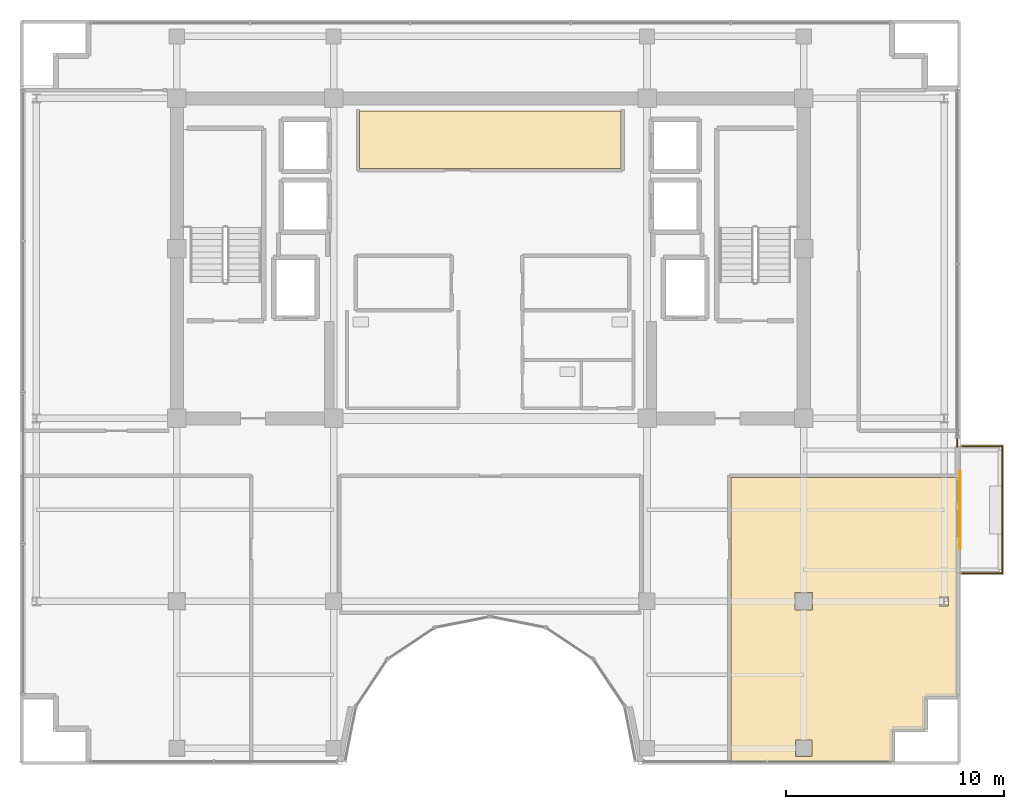
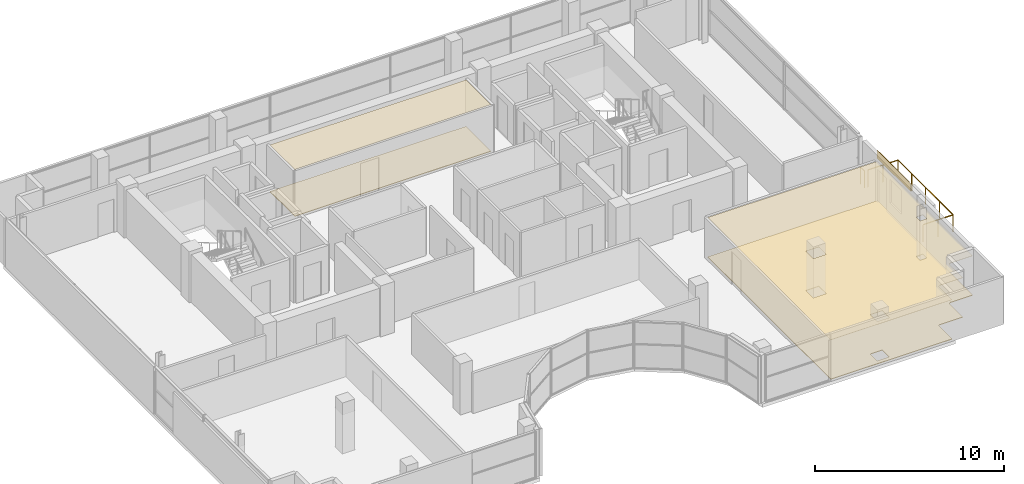
# One storey, part 27 of 29: 5 coverings, 2 railings, 1 shading device.
"""IFC4 building model written with IfcOpenShell, lengths in metres."""

import ifcopenshell
import ifcopenshell.guid

model = None  # the IFC model being written
_history = None  # IfcOwnerHistory: only IFC2X3 demands one
_inside = {}  # id of a spatial element -> (the spatial element, [elements in it])
_under = {}  # id of a project, library or spatial element -> (it, [spatial elements below it])
_declared = {}  # id of a project -> (the project, [libraries it declares])
_typed = {}  # id of a type object -> (the type object, [elements of that type])
_made_of = {}  # id of a material, layer set ... -> (it, [elements and type objects made of it])


def new_model(schema):
    """Start an empty IFC model of exactly this schema.

    Asked for "IFC4X3", IfcOpenShell would pick the latest addendum, in which some entities
    have other attributes; the version numbers below select the first issue.
    IFC2X3 requires an IfcOwnerHistory on every rooted entity: one is made here for all.
    """
    global model, _history
    if schema == "IFC4X3":
        model = ifcopenshell.file(schema_version=(4, 3, 0, 0))
    else:
        model = ifcopenshell.file(schema=schema)
    _inside.clear()
    _under.clear()
    _declared.clear()
    _typed.clear()
    _made_of.clear()
    _history = None
    if model.schema == "IFC2X3":
        org = make("IfcOrganization", Name="unknown")
        user = make(
            "IfcPersonAndOrganization",
            ThePerson=make("IfcPerson", FamilyName="unknown"),
            TheOrganization=org,
        )
        app = make(
            "IfcApplication",
            ApplicationDeveloper=org,
            Version="unknown",
            ApplicationFullName="unknown",
            ApplicationIdentifier="unknown",
        )
        _history = make(
            "IfcOwnerHistory",
            OwningUser=user,
            OwningApplication=app,
            ChangeAction="ADDED",
            CreationDate=0,
        )
    return model


def make(cls, **values):
    """One entity of the class cls with the attributes given. An attribute that is None is left unset."""
    return model.create_entity(
        cls, **{name: value for name, value in values.items() if value is not None}
    )


def rooted(cls, **values):
    """An entity with a GlobalId (a new one), such as an element, a storey or a relation."""
    return make(cls, GlobalId=ifcopenshell.guid.new(), OwnerHistory=_history, **values)


def si_unit(unit_type, name, prefix=None):
    """IfcSIUnit, for example si_unit("LENGTHUNIT", "METRE", prefix="MILLI")."""
    return make("IfcSIUnit", UnitType=unit_type, Prefix=prefix, Name=name)


def assignment(units):
    """IfcUnitAssignment: the units of a project."""
    return None if units is None else make("IfcUnitAssignment", Units=units)


def point(xyz):
    """IfcCartesianPoint."""
    return None if xyz is None else make("IfcCartesianPoint", Coordinates=xyz)


def direction(xyz):
    """IfcDirection."""
    return None if xyz is None else make("IfcDirection", DirectionRatios=xyz)


def frame(location, z_axis=None, x_axis=None):
    """IfcAxis2Placement3D, a coordinate frame: its origin and axes. An axis left out is left unset."""
    return make(
        "IfcAxis2Placement3D",
        Location=point(location),
        Axis=direction(z_axis),
        RefDirection=direction(x_axis),
    )


def frame_2d(location, x_axis=None):
    """IfcAxis2Placement2D, a coordinate frame in the plane: its origin and x axis."""
    return make(
        "IfcAxis2Placement2D", Location=point(location), RefDirection=direction(x_axis)
    )


def origin():
    """The frame at (0, 0, 0) with its axes left unset."""
    return frame((0.0, 0.0, 0.0))


def origin_2d():
    """The frame at (0, 0) in the plane with its x axis left unset."""
    return frame_2d((0.0, 0.0))


def place(relative_to, where):
    """IfcLocalPlacement: puts the frame where relative to a parent placement (None: the world)."""
    return make(
        "IfcLocalPlacement", PlacementRelTo=relative_to, RelativePlacement=where
    )


def context(
    kind, dimensions, precision=None, world=None, true_north=None, identifier=None
):
    """IfcGeometricRepresentationContext, for example the 3D "Model" context."""
    return make(
        "IfcGeometricRepresentationContext",
        ContextIdentifier=identifier,
        ContextType=kind,
        CoordinateSpaceDimension=dimensions,
        Precision=precision,
        WorldCoordinateSystem=world,
        TrueNorth=true_north,
    )


def subcontext(parent, identifier, kind, view, scale=None):
    """IfcGeometricRepresentationSubContext, for example "Body" below "Model"."""
    return make(
        "IfcGeometricRepresentationSubContext",
        ContextIdentifier=identifier,
        ContextType=kind,
        ParentContext=parent,
        TargetScale=scale,
        TargetView=view,
    )


def project(units=None, contexts=None):
    """IfcProject with its units and contexts."""
    return rooted(
        "IfcProject",
        Name="project",
        RepresentationContexts=contexts,
        UnitsInContext=assignment(units),
    )


def spatial(cls, under=None, at=None, **own):
    """A site, building, storey or space (cls), placed at a placement, below another one or the project."""
    s = rooted(cls, ObjectPlacement=at, **own)
    if under is not None:
        _under.setdefault(under.id(), (under, []))[1].append(s)
    return s


def polyline(points):
    """IfcPolyline through the points."""
    return make("IfcPolyline", Points=[point(p) for p in points])


def profile(cls, at=None, kind="AREA", **sizes):
    """A parametric profile (cls). Its sizes go by their IFC names, for example OverallWidth=200.0."""
    return make(cls, ProfileType=kind, Position=at, **sizes)


def rectangle(**sizes):
    """IfcRectangleProfileDef."""
    return profile("IfcRectangleProfileDef", **sizes)


def outline(outer, holes=None, kind="AREA"):
    """IfcArbitraryClosedProfileDef: a profile drawn as a closed curve; with holes, ...WithVoids."""
    if holes is None:
        return make("IfcArbitraryClosedProfileDef", ProfileType=kind, OuterCurve=outer)
    return make(
        "IfcArbitraryProfileDefWithVoids",
        ProfileType=kind,
        OuterCurve=outer,
        InnerCurves=holes,
    )


def extrude(swept, where, along, depth):
    """IfcExtrudedAreaSolid: the profile swept, set in the frame where, extruded along a direction by depth."""
    return make(
        "IfcExtrudedAreaSolid",
        SweptArea=swept,
        Position=where,
        ExtrudedDirection=direction(along),
        Depth=depth,
    )


def shape(context_of_items, identifier, shape_type, items):
    """IfcShapeRepresentation: the items that make up one representation, for example the "Body"."""
    return make(
        "IfcShapeRepresentation",
        ContextOfItems=context_of_items,
        RepresentationIdentifier=identifier,
        RepresentationType=shape_type,
        Items=items,
    )


def source(mapping_origin, context_of_items, identifier, shape_type, items):
    """IfcRepresentationMap: a shape defined once, which mapped items show again and again."""
    return make(
        "IfcRepresentationMap",
        MappingOrigin=mapping_origin,
        MappedRepresentation=shape(context_of_items, identifier, shape_type, items),
    )


def transform(
    local_origin,
    x_axis=None,
    y_axis=None,
    z_axis=None,
    scale=None,
    scale2=None,
    scale3=None,
    uniform=True,
):
    """IfcCartesianTransformationOperator3D, or its non-uniform kind. x_axis, y_axis, z_axis: its Axis1, 2, 3."""
    if uniform:
        return make(
            "IfcCartesianTransformationOperator3D",
            Axis1=direction(x_axis),
            Axis2=direction(y_axis),
            LocalOrigin=point(local_origin),
            Scale=scale,
            Axis3=direction(z_axis),
        )
    return make(
        "IfcCartesianTransformationOperator3DnonUniform",
        Axis1=direction(x_axis),
        Axis2=direction(y_axis),
        LocalOrigin=point(local_origin),
        Scale=scale,
        Axis3=direction(z_axis),
        Scale2=scale2,
        Scale3=scale3,
    )


def mapped(mapping_source, mapping_target):
    """IfcMappedItem: shows the shape of a source again, moved by a transform."""
    return make(
        "IfcMappedItem", MappingSource=mapping_source, MappingTarget=mapping_target
    )


def material(Name=None, Category=None):
    """IfcMaterial."""
    return make("IfcMaterial", Name=Name, Category=Category)


def layer(
    of_material, thickness, ventilated=None, Name=None, Category=None, Priority=None
):
    """IfcMaterialLayer: one layer of a wall or slab, of a material (None: an air gap)."""
    return make(
        "IfcMaterialLayer",
        Material=of_material,
        LayerThickness=thickness,
        IsVentilated=ventilated,
        Name=Name,
        Category=Category,
        Priority=Priority,
    )


def layer_set(layers, Name=None):
    """IfcMaterialLayerSet."""
    return make("IfcMaterialLayerSet", MaterialLayers=layers, LayerSetName=Name)


def made_of(thing, what):
    """Note that an element or type object is made of a material, layer set ...; save() writes the relation."""
    if what is not None:
        _made_of.setdefault(what.id(), (what, []))[1].append(thing)
    return thing


def type_object(cls, material=None, **own):
    """A type object (cls), such as IfcWallType, which elements share."""
    return made_of(rooted(cls, **own), material)


def element(
    cls,
    number,
    at=None,
    inside=None,
    cuts=None,
    type_object=None,
    material=None,
    context=None,
    identifier="Body",
    shape_type=None,
    held_by="IfcProductDefinitionShape",
    body=None,
    shapes=None,
    **own,
):
    """One element of the class cls, such as IfcWall. Its Tag is "e" and its number.

    at: its placement. inside: the storey or other place that contains it. cuts: it is an
    opening in that element (IfcRelVoidsElement). A single representation is given by context,
    identifier, shape_type and body (its items); several are given by shapes. held_by: the class
    of the entity that holds the representations. save() writes the other relations.
    """
    e = rooted(cls, Tag="e%d" % number, ObjectPlacement=at, **own)
    if body is not None:
        shapes = [shape(context, identifier, shape_type, body)]
    if shapes is not None:
        e.Representation = make(held_by, Representations=shapes)
    if inside is not None:
        _inside.setdefault(inside.id(), (inside, []))[1].append(e)
    if cuts is not None:
        rooted(
            "IfcRelVoidsElement", RelatingBuildingElement=cuts, RelatedOpeningElement=e
        )
    if type_object is not None:
        _typed.setdefault(type_object.id(), (type_object, []))[1].append(e)
    return made_of(e, material)


def aggregate(whole, parts):
    """IfcRelAggregates: a whole, such as a stair, and the parts it consists of."""
    return rooted("IfcRelAggregates", RelatingObject=whole, RelatedObjects=parts)


def save(model, path):
    """Write the relations noted so far, then the file.

    IfcRelAggregates (storeys below a building ...), IfcRelContainedInSpatialStructure (elements
    in a storey), IfcRelDefinesByType, IfcRelAssociatesMaterial and IfcRelDeclares: one each for
    every whole, place, type object, material and project.
    """
    for whole, parts in _under.values():
        aggregate(whole, parts)
    for where, things in _inside.values():
        rooted(
            "IfcRelContainedInSpatialStructure",
            RelatedElements=things,
            RelatingStructure=where,
        )
    for kind, things in _typed.values():
        rooted("IfcRelDefinesByType", RelatedObjects=things, RelatingType=kind)
    for what, things in _made_of.values():
        rooted("IfcRelAssociatesMaterial", RelatedObjects=things, RelatingMaterial=what)
    for by, libraries in _declared.values():
        rooted("IfcRelDeclares", RelatingContext=by, RelatedDefinitions=libraries)
    model.write(path)


model = new_model("IFC4")

# Units and contexts
model_context = context("Model", 3, precision=1e-05, world=origin(), true_north=direction((0.0, 1.0)))
body_context = subcontext(model_context, "Body", "Model", "MODEL_VIEW")
ifc_project = project(units=[si_unit("LENGTHUNIT", "METRE"), si_unit("AREAUNIT", "SQUARE_METRE"), si_unit("VOLUMEUNIT", "CUBIC_METRE"), si_unit("PLANEANGLEUNIT", "RADIAN"), si_unit("MASSUNIT", "GRAM", prefix="KILO")], contexts=[model_context])

# Site, building, storey
site_placement = place(None, origin())
site = spatial("IfcSite", under=ifc_project, at=site_placement, CompositionType="ELEMENT")
building_placement = place(site_placement, origin())
building = spatial("IfcBuilding", under=site, at=building_placement, Name="Zarnakvel Exchange Tower", CompositionType="ELEMENT")
storey_placement = place(building_placement, frame((0.0, 0.0, 265.0)))
storey = spatial("IfcBuildingStorey", under=building, at=storey_placement, Name="L75", CompositionType="ELEMENT", Elevation=265.0)

# Coverings
ifc_material_1 = material(Name="Perforated Bronze Acoustic Metal Ceiling", Category="aluminium")
ifc_layer_1 = layer(ifc_material_1, 0.02001953125)
ifc_layer_set_1 = layer_set([ifc_layer_1], Name="Perforated Bronze Acoustic Metal Ceiling")
covering_type_1 = type_object("IfcCoveringType", Name="CLG-01", PredefinedType="CEILING", material=ifc_layer_set_1)
covering_1_placement = place(storey_placement, frame((0.0, 0.0, 3.014892578125)))
element("IfcCovering", 1, at=covering_1_placement, inside=storey, type_object=covering_type_1, Name="L75 Suspended Acoustic Ceiling (Market Data Archive Suite)", PredefinedType="CEILING", context=body_context, shape_type="SweptSolid", body=[
    extrude(outline(polyline([(-6.0, 12.919921875), (6.0, 12.919921875), (6.0, 10.280029296875), (-6.0, 10.280029296875), (-6.0, 12.919921875)])), origin(), (0.0, 0.0, 1.0), 0.02001953125),
])
covering_2_placement = place(storey_placement, frame((0.0, 0.0, 2.554931640625)))
element("IfcCovering", 2, at=covering_2_placement, inside=storey, type_object=covering_type_1, Name="L75 Suspended Acoustic Ceiling (Seminar Room)", PredefinedType="CEILING", context=body_context, shape_type="SweptSolid", body=[
    extrude(outline(polyline([(11.06005859375, -3.909912109375), (21.449951171875, -3.909912109375), (21.449951171875, -13.97998046875), (20.10009765625, -13.97998046875), (20.088134765625, -13.98046875), (20.07666015625, -13.982421875), (20.065185546875, -13.985107421875), (20.05419921875, -13.989013671875), (20.04345703125, -13.994140625), (20.033447265625, -14.000244140625), (20.02392578125, -14.00732421875), (20.01513671875, -14.01513671875), (20.00732421875, -14.02392578125), (20.000244140625, -14.033447265625), (19.994140625, -14.04345703125), (19.989013671875, -14.05419921875), (19.985107421875, -14.065185546875), (19.982421875, -14.07666015625), (19.98046875, -14.088134765625), (19.97998046875, -14.10009765625), (19.97998046875, -15.47998046875), (18.60009765625, -15.47998046875), (18.588134765625, -15.48046875), (18.57666015625, -15.482421875), (18.565185546875, -15.485107421875), (18.55419921875, -15.489013671875), (18.54345703125, -15.494140625), (18.533447265625, -15.500244140625), (18.52392578125, -15.50732421875), (18.51513671875, -15.51513671875), (18.50732421875, -15.52392578125), (18.500244140625, -15.533447265625), (18.494140625, -15.54345703125), (18.489013671875, -15.55419921875), (18.485107421875, -15.565185546875), (18.482421875, -15.57666015625), (18.48046875, -15.588134765625), (18.47998046875, -15.60009765625), (18.47998046875, -16.949951171875), (11.06005859375, -16.949951171875), (11.06005859375, -3.909912109375)]), holes=[polyline([(21.057373046875, -9.807373046875), (21.057373046875, -9.392578125), (20.642578125, -9.392578125), (20.642578125, -9.807373046875), (21.057373046875, -9.807373046875)]), polyline([(14.794921875, -9.9951171875), (14.794921875, -9.205078125), (14.0048828125, -9.205078125), (14.0048828125, -9.9951171875), (14.794921875, -9.9951171875)]), polyline([(14.77001953125, -16.719970703125), (14.77001953125, -15.97998046875), (14.030029296875, -15.97998046875), (14.030029296875, -16.719970703125), (14.77001953125, -16.719970703125)])]), origin(), (0.0, 0.0, 1.0), 0.02001953125),
])
ifc_material_2 = material(Name="Heavy-Duty Raised Access Floor Panel", Category="steel")
ifc_layer_2 = layer(ifc_material_2, 0.034912109375)
ifc_layer_set_2 = layer_set([ifc_layer_2], Name="Heavy-Duty Raised Access Floor Panel")
covering_type_2 = type_object("IfcCoveringType", Name="FLR-02", PredefinedType="FLOORING", material=ifc_layer_set_2)
covering_3_placement = place(storey_placement, origin())
element("IfcCovering", 3, at=covering_3_placement, inside=storey, type_object=covering_type_2, Name="L75 Floor Finish (Market Data Archive Suite)", PredefinedType="FLOORING", context=body_context, shape_type="SweptSolid", body=[
    extrude(outline(polyline([(-6.0, 12.919921875), (6.0, 12.919921875), (6.0, 10.280029296875), (-6.0, 10.280029296875), (-6.0, 12.919921875)])), origin(), (0.0, 0.0, 1.0), 0.034912109375),
])
covering_4_placement = place(storey_placement, origin())
element("IfcCovering", 4, at=covering_4_placement, inside=storey, type_object=covering_type_2, Name="L75 Floor Finish (Seminar Room)", PredefinedType="FLOORING", context=body_context, shape_type="SweptSolid", body=[
    extrude(outline(polyline([(11.06005859375, -3.909912109375), (21.449951171875, -3.909912109375), (21.449951171875, -13.97998046875), (20.10009765625, -13.97998046875), (20.088134765625, -13.98046875), (20.07666015625, -13.982421875), (20.065185546875, -13.985107421875), (20.05419921875, -13.989013671875), (20.04345703125, -13.994140625), (20.033447265625, -14.000244140625), (20.02392578125, -14.00732421875), (20.01513671875, -14.01513671875), (20.00732421875, -14.02392578125), (20.000244140625, -14.033447265625), (19.994140625, -14.04345703125), (19.989013671875, -14.05419921875), (19.985107421875, -14.065185546875), (19.982421875, -14.07666015625), (19.98046875, -14.088134765625), (19.97998046875, -14.10009765625), (19.97998046875, -15.47998046875), (18.60009765625, -15.47998046875), (18.588134765625, -15.48046875), (18.57666015625, -15.482421875), (18.565185546875, -15.485107421875), (18.55419921875, -15.489013671875), (18.54345703125, -15.494140625), (18.533447265625, -15.500244140625), (18.52392578125, -15.50732421875), (18.51513671875, -15.51513671875), (18.50732421875, -15.52392578125), (18.500244140625, -15.533447265625), (18.494140625, -15.54345703125), (18.489013671875, -15.55419921875), (18.485107421875, -15.565185546875), (18.482421875, -15.57666015625), (18.48046875, -15.588134765625), (18.47998046875, -15.60009765625), (18.47998046875, -16.949951171875), (11.06005859375, -16.949951171875), (11.06005859375, -3.909912109375)]), holes=[polyline([(21.057373046875, -9.807373046875), (21.057373046875, -9.392578125), (20.642578125, -9.392578125), (20.642578125, -9.807373046875), (21.057373046875, -9.807373046875)]), polyline([(14.794921875, -9.9951171875), (14.794921875, -9.205078125), (14.0048828125, -9.205078125), (14.0048828125, -9.9951171875), (14.794921875, -9.9951171875)]), polyline([(14.77001953125, -16.719970703125), (14.77001953125, -15.97998046875), (14.030029296875, -15.97998046875), (14.030029296875, -16.719970703125), (14.77001953125, -16.719970703125)])]), origin(), (0.0, 0.0, 1.0), 0.034912109375),
])

# Railings
ifc_material_3 = material(Name="Architectural Bronze Anodised Aluminium", Category="aluminium")
railing_type = type_object("IfcRailingType", Name="GR-02", PredefinedType="GUARDRAIL", material=ifc_material_3)
railing_1_placement = place(storey_placement, frame((21.679931640625, -8.320068359375, -0.034912109375)))
element("IfcRailing", 5, at=railing_1_placement, inside=storey, type_object=railing_type, Name="L75 Balcony Guardrail BAL-L75-E", PredefinedType="GUARDRAIL", context=body_context, shape_type="SweptSolid", body=[
    extrude(rectangle(XDim=0.048095703125, YDim=0.048095703125, at=origin_2d()), frame((0.0, 0.0, 1.09619140625), z_axis=(1.0, 0.0, 0.0), x_axis=(0.0, 1.0, 0.0)), (0.0, 0.0, 1.0), 1.840087890625),
    extrude(rectangle(XDim=0.048095703125, YDim=0.048095703125, at=origin_2d()), frame((1.840087890625, 0.0, 1.09619140625), z_axis=(0.0, 1.0, 0.0), x_axis=(-1.0, 0.0, 0.0)), (0.0, 0.0, 1.0), 5.840087890625),
    extrude(rectangle(XDim=0.048095703125, YDim=0.048095703125, at=origin_2d()), frame((1.840087890625, 5.840087890625, 1.09619140625), z_axis=(-1.0, 0.0, 0.0), x_axis=(0.0, -1.0, 0.0)), (0.0, 0.0, 1.0), 1.840087890625),
    extrude(rectangle(XDim=0.0419921875, YDim=0.0419921875, at=origin_2d()), origin(), (0.0, 0.0, 1.0), 1.072021484375),
    extrude(rectangle(XDim=0.0419921875, YDim=0.0419921875, at=origin_2d()), frame((0.919921875, 0.0, 0.0)), (0.0, 0.0, 1.0), 1.072021484375),
    extrude(rectangle(XDim=0.0419921875, YDim=0.0419921875, at=origin_2d()), frame((1.840087890625, 0.0, 0.0)), (0.0, 0.0, 1.0), 1.072021484375),
    extrude(rectangle(XDim=0.0419921875, YDim=0.0419921875, at=origin_2d()), frame((1.840087890625, 1.4599609375, 0.0)), (0.0, 0.0, 1.0), 1.072021484375),
    extrude(rectangle(XDim=0.0419921875, YDim=0.0419921875, at=origin_2d()), frame((1.840087890625, 2.919921875, 0.0)), (0.0, 0.0, 1.0), 1.072021484375),
    extrude(rectangle(XDim=0.0419921875, YDim=0.0419921875, at=origin_2d()), frame((1.840087890625, 4.380126953125, 0.0)), (0.0, 0.0, 1.0), 1.072021484375),
    extrude(rectangle(XDim=0.0419921875, YDim=0.0419921875, at=origin_2d()), frame((1.840087890625, 5.840087890625, 0.0)), (0.0, 0.0, 1.0), 1.072021484375),
    extrude(rectangle(XDim=0.0419921875, YDim=0.0419921875, at=origin_2d()), frame((0.919921875, 5.840087890625, 0.0)), (0.0, 0.0, 1.0), 1.072021484375),
    extrude(rectangle(XDim=0.0419921875, YDim=0.0419921875, at=origin_2d()), frame((0.0, 5.840087890625, 0.0)), (0.0, 0.0, 1.0), 1.072021484375),
])
railing_2_placement = place(storey_placement, frame((21.4599609375, -2.10009765625, 0.0)))
element("IfcRailing", 6, at=railing_2_placement, inside=storey, type_object=railing_type, Name="L75 Corner Spandrel Balustrade #9", PredefinedType="GUARDRAIL", context=body_context, shape_type="SweptSolid", body=[
    extrude(rectangle(XDim=0.048095703125, YDim=0.048095703125, at=origin_2d()), frame((0.0, 0.0, 1.09619140625), z_axis=(0.0, -1.0, 0.0), x_axis=(1.0, 0.0, 0.0)), (0.0, 0.0, 1.0), 0.39990234375),
    extrude(rectangle(XDim=0.0419921875, YDim=0.0419921875, at=origin_2d()), origin(), (0.0, 0.0, 1.0), 1.072021484375),
    extrude(rectangle(XDim=0.0419921875, YDim=0.0419921875, at=origin_2d()), frame((0.0, -0.39990234375, 0.0)), (0.0, 0.0, 1.0), 1.072021484375),
])

# Covering
ifc_material_4 = material(Name="Warm Sandstone Terracotta Spandrel Tile", Category="masonry")
ifc_layer_3 = layer(ifc_material_4, 0.031982421875)
ifc_layer_set_3 = layer_set([ifc_layer_3], Name="Warm Sandstone Terracotta Spandrel Tile")
covering_type_3 = type_object("IfcCoveringType", Name="CL-02", PredefinedType="CLADDING", material=ifc_layer_set_3)
shared_shape_1 = source(origin(), body_context, "Body", "SweptSolid", [
    extrude(rectangle(XDim=3.60009765625, YDim=0.031982421875, at=origin_2d()), origin(), (0.0, 0.0, 1.0), 0.4951171875),
])
covering_5_placement = place(storey_placement, frame((21.593994140625, -5.39990234375, 2.56005859375), z_axis=(0.0, 0.0, 1.0), x_axis=(0.0, -1.0, 0.0)))
element("IfcCovering", 7, at=covering_5_placement, inside=storey, type_object=covering_type_3, Name="L75 Ceramic Spandrel Tilework CL-02", PredefinedType="CLADDING", context=body_context, shape_type="MappedRepresentation", body=[
    mapped(shared_shape_1, transform((0.0, 0.0, 0.0), x_axis=(1.0, 0.0, 0.0), y_axis=(0.0, 1.0, 0.0), z_axis=(0.0, 0.0, 1.0), scale=1.0)),
])

# Shading device
ifc_material_5 = material(Name="Perforated Architectural Bronze Screen", Category="aluminium")
ifc_layer_4 = layer(ifc_material_5, 0.044921875)
ifc_layer_set_4 = layer_set([ifc_layer_4], Name="Perforated Architectural Bronze Screen")
shading_device_type = type_object("IfcShadingDeviceType", Name="SS-01", PredefinedType="JALOUSIE", material=ifc_layer_set_4)
shared_shape_2 = source(origin(), body_context, "Body", "SweptSolid", [
    extrude(rectangle(XDim=3.199951171875, YDim=0.044921875, at=origin_2d()), origin(), (0.0, 0.0, 1.0), 0.4951171875),
])
shading_device_placement = place(storey_placement, frame((21.6005859375, -5.39990234375, 2.56005859375), z_axis=(0.0, 0.0, 1.0), x_axis=(0.0, -1.0, 0.0)))
element("IfcShadingDevice", 8, at=shading_device_placement, inside=storey, type_object=shading_device_type, Name="L75 Bronze Solar Shading Screen SS-01", PredefinedType="JALOUSIE", context=body_context, shape_type="MappedRepresentation", body=[
    mapped(shared_shape_2, transform((0.0, 0.0, 0.0), x_axis=(1.0, 0.0, 0.0), y_axis=(0.0, 1.0, 0.0), z_axis=(0.0, 0.0, 1.0), scale=1.0)),
])

save(model, "model.ifc")
